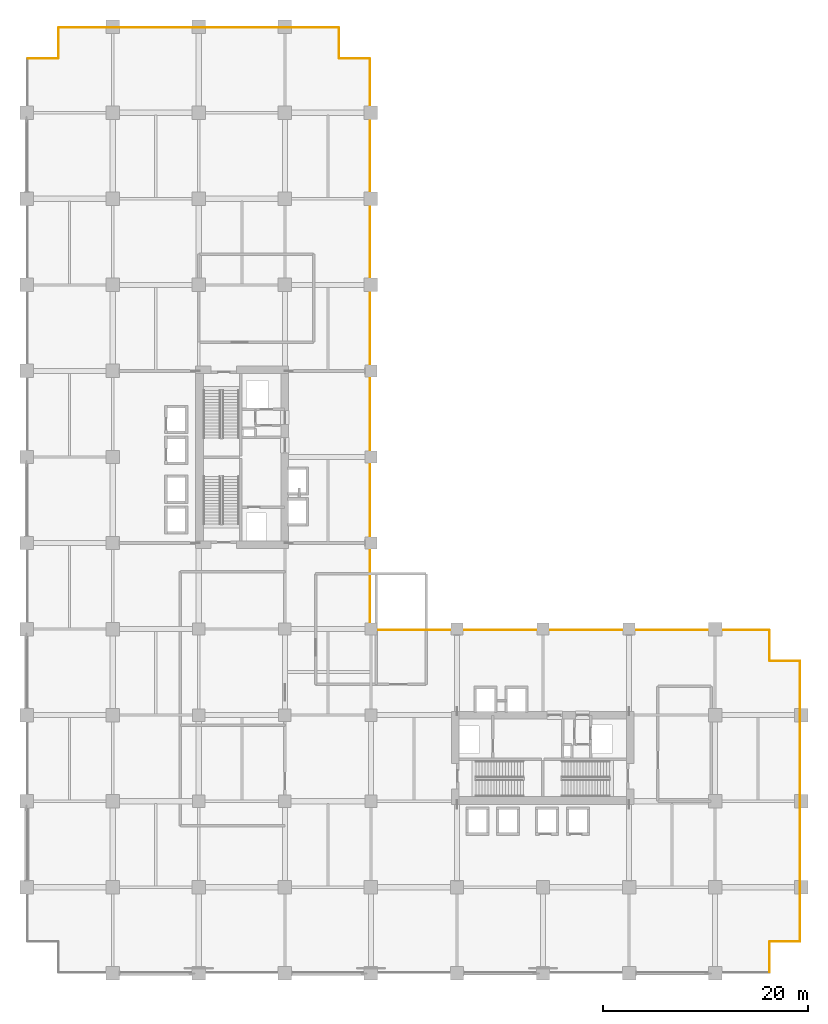
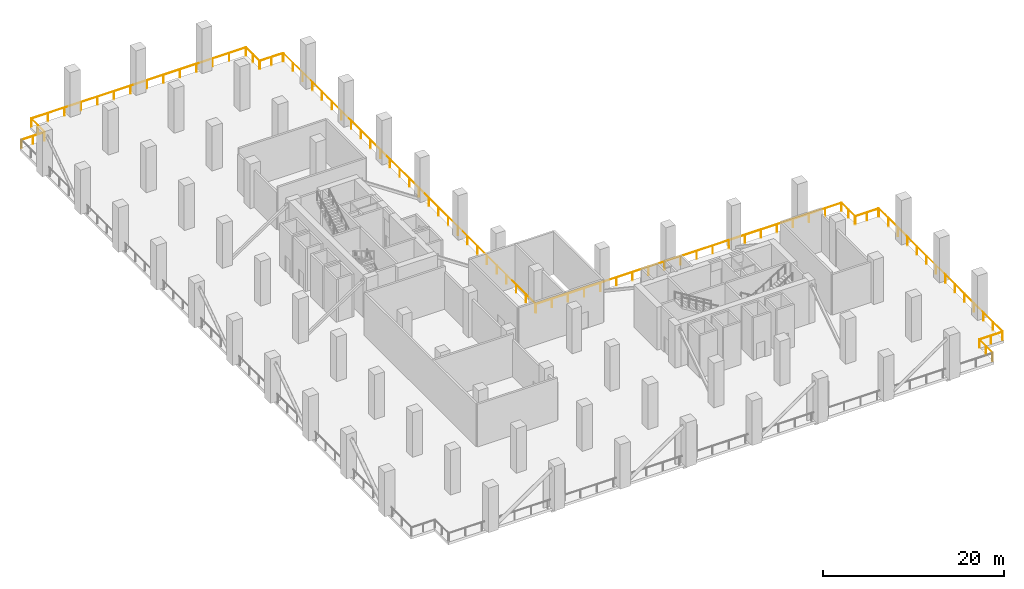
# One storey, part 19 of 19: 12 railings.
"""IFC4 building model written with IfcOpenShell, lengths in metres."""

from ifc_helpers import new_model, si_unit, direction, frame, origin, origin_2d, place, context, subcontext, project, spatial, circle, extrude, material, type_object, element, save


model = new_model("IFC4")

# Units and contexts
model_context = context("Model", 3, precision=1e-05, world=origin(), true_north=direction((0.0, 1.0)))
body_context = subcontext(model_context, "Body", "Model", "MODEL_VIEW")
ifc_project = project(units=[si_unit("LENGTHUNIT", "METRE"), si_unit("AREAUNIT", "SQUARE_METRE"), si_unit("VOLUMEUNIT", "CUBIC_METRE"), si_unit("PLANEANGLEUNIT", "RADIAN"), si_unit("MASSUNIT", "GRAM", prefix="KILO")], contexts=[model_context])

# Site, building, storey
site_placement = place(None, origin())
site = spatial("IfcSite", under=ifc_project, at=site_placement, CompositionType="ELEMENT")
building_placement = place(site_placement, origin())
building = spatial("IfcBuilding", under=site, at=building_placement, Name="Koriwani Terraces Tower", CompositionType="ELEMENT")
storey_placement = place(building_placement, frame((0.0, 0.0, 94.0)))
storey = spatial("IfcBuildingStorey", under=building, at=storey_placement, Name="L22", CompositionType="ELEMENT", Elevation=94.0)

# Railings
ifc_material = material(Name="Steel ASTM A572 Grade 50", Category="steel")
railing_type = type_object("IfcRailingType", Name="GUARD_BALUSTRADE_1150", PredefinedType="BALUSTRADE", material=ifc_material)
railing_1_placement = place(storey_placement, frame((0.135009765625, 89.300048828125, 0.0)))
element("IfcRailing", 1, at=railing_1_placement, inside=storey, type_object=railing_type, Name="L22 Open Wind Floor Perimeter Balustrade Segment 4", PredefinedType="BALUSTRADE", context=body_context, shape_type="SweptSolid", body=[
    extrude(circle(Radius=0.02490234375, at=origin_2d()), frame((0.0, 0.0, 1.125), z_axis=(1.0, 0.0, 0.0), x_axis=(0.0, 1.0, 0.0)), (0.0, 0.0, 1.0), 2.929931640625),
    extrude(circle(Radius=0.0224609375, at=origin_2d()), origin(), (0.0, 0.0, 1.0), 1.099853515625),
    extrude(circle(Radius=0.0224609375, at=origin_2d()), frame((1.46484375, 0.0, 0.0)), (0.0, 0.0, 1.0), 1.099853515625),
    extrude(circle(Radius=0.0224609375, at=origin_2d()), frame((2.929931640625, 0.0, 0.0)), (0.0, 0.0, 1.0), 1.099853515625),
])
railing_2_placement = place(storey_placement, frame((3.10009765625, 89.3349609375, 0.0)))
element("IfcRailing", 2, at=railing_2_placement, inside=storey, type_object=railing_type, Name="L22 Open Wind Floor Perimeter Balustrade Segment 5", PredefinedType="BALUSTRADE", context=body_context, shape_type="SweptSolid", body=[
    extrude(circle(Radius=0.02490234375, at=origin_2d()), frame((0.0, 0.0, 1.125), z_axis=(0.0, 1.0, 0.0), x_axis=(-1.0, 0.0, 0.0)), (0.0, 0.0, 1.0), 2.929931640625),
    extrude(circle(Radius=0.0224609375, at=origin_2d()), origin(), (0.0, 0.0, 1.0), 1.099853515625),
    extrude(circle(Radius=0.0224609375, at=origin_2d()), frame((0.0, 1.46484375, 0.0)), (0.0, 0.0, 1.0), 1.099853515625),
    extrude(circle(Radius=0.0224609375, at=origin_2d()), frame((0.0, 2.929931640625, 0.0)), (0.0, 0.0, 1.0), 1.099853515625),
])
railing_3_placement = place(storey_placement, frame((3.135009765625, 92.300048828125, 0.0)))
element("IfcRailing", 3, at=railing_3_placement, inside=storey, type_object=railing_type, Name="L22 Open Wind Floor Perimeter Balustrade Segment 6", PredefinedType="BALUSTRADE", context=body_context, shape_type="SweptSolid", body=[
    extrude(circle(Radius=0.02490234375, at=origin_2d()), frame((0.0, 0.0, 1.125), z_axis=(1.0, 0.0, 0.0), x_axis=(0.0, 1.0, 0.0)), (0.0, 0.0, 1.0), 27.330078125),
    extrude(circle(Radius=0.0224609375, at=origin_2d()), origin(), (0.0, 0.0, 1.0), 1.099853515625),
    extrude(circle(Radius=0.0224609375, at=origin_2d()), frame((2.102294921875, 0.0, 0.0)), (0.0, 0.0, 1.0), 1.099853515625),
    extrude(circle(Radius=0.0224609375, at=origin_2d()), frame((4.20458984375, 0.0, 0.0)), (0.0, 0.0, 1.0), 1.099853515625),
    extrude(circle(Radius=0.0224609375, at=origin_2d()), frame((6.306884765625, 0.0, 0.0)), (0.0, 0.0, 1.0), 1.099853515625),
    extrude(circle(Radius=0.0224609375, at=origin_2d()), frame((8.4091796875, 0.0, 0.0)), (0.0, 0.0, 1.0), 1.099853515625),
    extrude(circle(Radius=0.0224609375, at=origin_2d()), frame((10.511474609375, 0.0, 0.0)), (0.0, 0.0, 1.0), 1.099853515625),
    extrude(circle(Radius=0.0224609375, at=origin_2d()), frame((12.61376953125, 0.0, 0.0)), (0.0, 0.0, 1.0), 1.099853515625),
    extrude(circle(Radius=0.0224609375, at=origin_2d()), frame((14.71630859375, 0.0, 0.0)), (0.0, 0.0, 1.0), 1.099853515625),
    extrude(circle(Radius=0.0224609375, at=origin_2d()), frame((16.818603515625, 0.0, 0.0)), (0.0, 0.0, 1.0), 1.099853515625),
    extrude(circle(Radius=0.0224609375, at=origin_2d()), frame((18.9208984375, 0.0, 0.0)), (0.0, 0.0, 1.0), 1.099853515625),
    extrude(circle(Radius=0.0224609375, at=origin_2d()), frame((21.023193359375, 0.0, 0.0)), (0.0, 0.0, 1.0), 1.099853515625),
    extrude(circle(Radius=0.0224609375, at=origin_2d()), frame((23.12548828125, 0.0, 0.0)), (0.0, 0.0, 1.0), 1.099853515625),
    extrude(circle(Radius=0.0224609375, at=origin_2d()), frame((25.227783203125, 0.0, 0.0)), (0.0, 0.0, 1.0), 1.099853515625),
    extrude(circle(Radius=0.0224609375, at=origin_2d()), frame((27.330078125, 0.0, 0.0)), (0.0, 0.0, 1.0), 1.099853515625),
])
railing_4_placement = place(storey_placement, frame((30.5, 92.264892578125, 0.0)))
element("IfcRailing", 4, at=railing_4_placement, inside=storey, type_object=railing_type, Name="L22 Open Wind Floor Perimeter Balustrade Segment 7", PredefinedType="BALUSTRADE", context=body_context, shape_type="SweptSolid", body=[
    extrude(circle(Radius=0.02490234375, at=origin_2d()), frame((0.0, 0.0, 1.125), z_axis=(0.0, -1.0, 0.0), x_axis=(1.0, 0.0, 0.0)), (0.0, 0.0, 1.0), 2.929931640625),
    extrude(circle(Radius=0.0224609375, at=origin_2d()), origin(), (0.0, 0.0, 1.0), 1.099853515625),
    extrude(circle(Radius=0.0224609375, at=origin_2d()), frame((0.0, -1.46484375, 0.0)), (0.0, 0.0, 1.0), 1.099853515625),
    extrude(circle(Radius=0.0224609375, at=origin_2d()), frame((0.0, -2.929931640625, 0.0)), (0.0, 0.0, 1.0), 1.099853515625),
])
railing_5_placement = place(storey_placement, frame((30.534912109375, 89.300048828125, 0.0)))
element("IfcRailing", 5, at=railing_5_placement, inside=storey, type_object=railing_type, Name="L22 Open Wind Floor Perimeter Balustrade Segment 8", PredefinedType="BALUSTRADE", context=body_context, shape_type="SweptSolid", body=[
    extrude(circle(Radius=0.02490234375, at=origin_2d()), frame((0.0, 0.0, 1.125), z_axis=(1.0, 0.0, 0.0), x_axis=(0.0, 1.0, 0.0)), (0.0, 0.0, 1.0), 2.93017578125),
    extrude(circle(Radius=0.0224609375, at=origin_2d()), origin(), (0.0, 0.0, 1.0), 1.099853515625),
    extrude(circle(Radius=0.0224609375, at=origin_2d()), frame((1.465087890625, 0.0, 0.0)), (0.0, 0.0, 1.0), 1.099853515625),
    extrude(circle(Radius=0.0224609375, at=origin_2d()), frame((2.93017578125, 0.0, 0.0)), (0.0, 0.0, 1.0), 1.099853515625),
])
railing_6_placement = place(storey_placement, frame((33.5, 89.264892578125, 0.0)))
element("IfcRailing", 6, at=railing_6_placement, inside=storey, type_object=railing_type, Name="L22 Open Wind Floor Perimeter Balustrade Segment 9", PredefinedType="BALUSTRADE", context=body_context, shape_type="SweptSolid", body=[
    extrude(circle(Radius=0.02490234375, at=origin_2d()), frame((0.0, 0.0, 1.125), z_axis=(0.0, -1.0, 0.0), x_axis=(1.0, 0.0, 0.0)), (0.0, 0.0, 1.0), 55.72998046875),
    extrude(circle(Radius=0.0224609375, at=origin_2d()), origin(), (0.0, 0.0, 1.0), 1.099853515625),
    extrude(circle(Radius=0.0224609375, at=origin_2d()), frame((0.0, -2.1435546875, 0.0)), (0.0, 0.0, 1.0), 1.099853515625),
    extrude(circle(Radius=0.0224609375, at=origin_2d()), frame((0.0, -4.286865234375, 0.0)), (0.0, 0.0, 1.0), 1.099853515625),
    extrude(circle(Radius=0.0224609375, at=origin_2d()), frame((0.0, -6.430419921875, 0.0)), (0.0, 0.0, 1.0), 1.099853515625),
    extrude(circle(Radius=0.0224609375, at=origin_2d()), frame((0.0, -8.57373046875, 0.0)), (0.0, 0.0, 1.0), 1.099853515625),
    extrude(circle(Radius=0.0224609375, at=origin_2d()), frame((0.0, -10.71728515625, 0.0)), (0.0, 0.0, 1.0), 1.099853515625),
    extrude(circle(Radius=0.0224609375, at=origin_2d()), frame((0.0, -12.86083984375, 0.0)), (0.0, 0.0, 1.0), 1.099853515625),
    extrude(circle(Radius=0.0224609375, at=origin_2d()), frame((0.0, -15.004150390625, 0.0)), (0.0, 0.0, 1.0), 1.099853515625),
    extrude(circle(Radius=0.0224609375, at=origin_2d()), frame((0.0, -17.147705078125, 0.0)), (0.0, 0.0, 1.0), 1.099853515625),
    extrude(circle(Radius=0.0224609375, at=origin_2d()), frame((0.0, -19.291259765625, 0.0)), (0.0, 0.0, 1.0), 1.099853515625),
    extrude(circle(Radius=0.0224609375, at=origin_2d()), frame((0.0, -21.4345703125, 0.0)), (0.0, 0.0, 1.0), 1.099853515625),
    extrude(circle(Radius=0.0224609375, at=origin_2d()), frame((0.0, -23.578125, 0.0)), (0.0, 0.0, 1.0), 1.099853515625),
    extrude(circle(Radius=0.0224609375, at=origin_2d()), frame((0.0, -25.721435546875, 0.0)), (0.0, 0.0, 1.0), 1.099853515625),
    extrude(circle(Radius=0.0224609375, at=origin_2d()), frame((0.0, -27.864990234375, 0.0)), (0.0, 0.0, 1.0), 1.099853515625),
    extrude(circle(Radius=0.0224609375, at=origin_2d()), frame((0.0, -30.008544921875, 0.0)), (0.0, 0.0, 1.0), 1.099853515625),
    extrude(circle(Radius=0.0224609375, at=origin_2d()), frame((0.0, -32.15185546875, 0.0)), (0.0, 0.0, 1.0), 1.099853515625),
    extrude(circle(Radius=0.0224609375, at=origin_2d()), frame((0.0, -34.29541015625, 0.0)), (0.0, 0.0, 1.0), 1.099853515625),
    extrude(circle(Radius=0.0224609375, at=origin_2d()), frame((0.0, -36.438720703125, 0.0)), (0.0, 0.0, 1.0), 1.099853515625),
    extrude(circle(Radius=0.0224609375, at=origin_2d()), frame((0.0, -38.582275390625, 0.0)), (0.0, 0.0, 1.0), 1.099853515625),
    extrude(circle(Radius=0.0224609375, at=origin_2d()), frame((0.0, -40.725830078125, 0.0)), (0.0, 0.0, 1.0), 1.099853515625),
    extrude(circle(Radius=0.0224609375, at=origin_2d()), frame((0.0, -42.869140625, 0.0)), (0.0, 0.0, 1.0), 1.099853515625),
    extrude(circle(Radius=0.0224609375, at=origin_2d()), frame((0.0, -45.0126953125, 0.0)), (0.0, 0.0, 1.0), 1.099853515625),
    extrude(circle(Radius=0.0224609375, at=origin_2d()), frame((0.0, -47.15625, 0.0)), (0.0, 0.0, 1.0), 1.099853515625),
    extrude(circle(Radius=0.0224609375, at=origin_2d()), frame((0.0, -49.299560546875, 0.0)), (0.0, 0.0, 1.0), 1.099853515625),
    extrude(circle(Radius=0.0224609375, at=origin_2d()), frame((0.0, -51.443115234375, 0.0)), (0.0, 0.0, 1.0), 1.099853515625),
    extrude(circle(Radius=0.0224609375, at=origin_2d()), frame((0.0, -53.58642578125, 0.0)), (0.0, 0.0, 1.0), 1.099853515625),
    extrude(circle(Radius=0.0224609375, at=origin_2d()), frame((0.0, -55.72998046875, 0.0)), (0.0, 0.0, 1.0), 1.099853515625),
])
railing_7_placement = place(storey_placement, frame((33.534912109375, 33.5, 0.0)))
element("IfcRailing", 7, at=railing_7_placement, inside=storey, type_object=railing_type, Name="L22 Open Wind Floor Perimeter Balustrade Segment 10", PredefinedType="BALUSTRADE", context=body_context, shape_type="SweptSolid", body=[
    extrude(circle(Radius=0.02490234375, at=origin_2d()), frame((0.0, 0.0, 1.125), z_axis=(1.0, 0.0, 0.0), x_axis=(0.0, 1.0, 0.0)), (0.0, 0.0, 1.0), 38.93017578125),
    extrude(circle(Radius=0.0224609375, at=origin_2d()), origin(), (0.0, 0.0, 1.0), 1.099853515625),
    extrude(circle(Radius=0.0224609375, at=origin_2d()), frame((2.049072265625, 0.0, 0.0)), (0.0, 0.0, 1.0), 1.099853515625),
    extrude(circle(Radius=0.0224609375, at=origin_2d()), frame((4.097900390625, 0.0, 0.0)), (0.0, 0.0, 1.0), 1.099853515625),
    extrude(circle(Radius=0.0224609375, at=origin_2d()), frame((6.14697265625, 0.0, 0.0)), (0.0, 0.0, 1.0), 1.099853515625),
    extrude(circle(Radius=0.0224609375, at=origin_2d()), frame((8.19580078125, 0.0, 0.0)), (0.0, 0.0, 1.0), 1.099853515625),
    extrude(circle(Radius=0.0224609375, at=origin_2d()), frame((10.244873046875, 0.0, 0.0)), (0.0, 0.0, 1.0), 1.099853515625),
    extrude(circle(Radius=0.0224609375, at=origin_2d()), frame((12.293701171875, 0.0, 0.0)), (0.0, 0.0, 1.0), 1.099853515625),
    extrude(circle(Radius=0.0224609375, at=origin_2d()), frame((14.3427734375, 0.0, 0.0)), (0.0, 0.0, 1.0), 1.099853515625),
    extrude(circle(Radius=0.0224609375, at=origin_2d()), frame((16.3916015625, 0.0, 0.0)), (0.0, 0.0, 1.0), 1.099853515625),
    extrude(circle(Radius=0.0224609375, at=origin_2d()), frame((18.440673828125, 0.0, 0.0)), (0.0, 0.0, 1.0), 1.099853515625),
    extrude(circle(Radius=0.0224609375, at=origin_2d()), frame((20.489501953125, 0.0, 0.0)), (0.0, 0.0, 1.0), 1.099853515625),
    extrude(circle(Radius=0.0224609375, at=origin_2d()), frame((22.53857421875, 0.0, 0.0)), (0.0, 0.0, 1.0), 1.099853515625),
    extrude(circle(Radius=0.0224609375, at=origin_2d()), frame((24.58740234375, 0.0, 0.0)), (0.0, 0.0, 1.0), 1.099853515625),
    extrude(circle(Radius=0.0224609375, at=origin_2d()), frame((26.636474609375, 0.0, 0.0)), (0.0, 0.0, 1.0), 1.099853515625),
    extrude(circle(Radius=0.0224609375, at=origin_2d()), frame((28.685302734375, 0.0, 0.0)), (0.0, 0.0, 1.0), 1.099853515625),
    extrude(circle(Radius=0.0224609375, at=origin_2d()), frame((30.734375, 0.0, 0.0)), (0.0, 0.0, 1.0), 1.099853515625),
    extrude(circle(Radius=0.0224609375, at=origin_2d()), frame((32.783203125, 0.0, 0.0)), (0.0, 0.0, 1.0), 1.099853515625),
    extrude(circle(Radius=0.0224609375, at=origin_2d()), frame((34.832275390625, 0.0, 0.0)), (0.0, 0.0, 1.0), 1.099853515625),
    extrude(circle(Radius=0.0224609375, at=origin_2d()), frame((36.881103515625, 0.0, 0.0)), (0.0, 0.0, 1.0), 1.099853515625),
    extrude(circle(Radius=0.0224609375, at=origin_2d()), frame((38.93017578125, 0.0, 0.0)), (0.0, 0.0, 1.0), 1.099853515625),
])
railing_8_placement = place(storey_placement, frame((72.5, 33.465087890625, 0.0)))
element("IfcRailing", 8, at=railing_8_placement, inside=storey, type_object=railing_type, Name="L22 Open Wind Floor Perimeter Balustrade Segment 11", PredefinedType="BALUSTRADE", context=body_context, shape_type="SweptSolid", body=[
    extrude(circle(Radius=0.02490234375, at=origin_2d()), frame((0.0, 0.0, 1.125), z_axis=(0.0, -1.0, 0.0), x_axis=(1.0, 0.0, 0.0)), (0.0, 0.0, 1.0), 2.93017578125),
    extrude(circle(Radius=0.0224609375, at=origin_2d()), origin(), (0.0, 0.0, 1.0), 1.099853515625),
    extrude(circle(Radius=0.0224609375, at=origin_2d()), frame((0.0, -1.465087890625, 0.0)), (0.0, 0.0, 1.0), 1.099853515625),
    extrude(circle(Radius=0.0224609375, at=origin_2d()), frame((0.0, -2.93017578125, 0.0)), (0.0, 0.0, 1.0), 1.099853515625),
])
railing_9_placement = place(storey_placement, frame((72.534912109375, 30.5, 0.0)))
element("IfcRailing", 9, at=railing_9_placement, inside=storey, type_object=railing_type, Name="L22 Open Wind Floor Perimeter Balustrade Segment 12", PredefinedType="BALUSTRADE", context=body_context, shape_type="SweptSolid", body=[
    extrude(circle(Radius=0.02490234375, at=origin_2d()), frame((0.0, 0.0, 1.125), z_axis=(1.0, 0.0, 0.0), x_axis=(0.0, 1.0, 0.0)), (0.0, 0.0, 1.0), 2.93017578125),
    extrude(circle(Radius=0.0224609375, at=origin_2d()), origin(), (0.0, 0.0, 1.0), 1.099853515625),
    extrude(circle(Radius=0.0224609375, at=origin_2d()), frame((1.465087890625, 0.0, 0.0)), (0.0, 0.0, 1.0), 1.099853515625),
    extrude(circle(Radius=0.0224609375, at=origin_2d()), frame((2.93017578125, 0.0, 0.0)), (0.0, 0.0, 1.0), 1.099853515625),
])
railing_10_placement = place(storey_placement, frame((75.5, 30.465087890625, 0.0)))
element("IfcRailing", 10, at=railing_10_placement, inside=storey, type_object=railing_type, Name="L22 Open Wind Floor Perimeter Balustrade Segment 13", PredefinedType="BALUSTRADE", context=body_context, shape_type="SweptSolid", body=[
    extrude(circle(Radius=0.02490234375, at=origin_2d()), frame((0.0, 0.0, 1.125), z_axis=(0.0, -1.0, 0.0), x_axis=(1.0, 0.0, 0.0)), (0.0, 0.0, 1.0), 27.330078125),
    extrude(circle(Radius=0.0224609375, at=origin_2d()), origin(), (0.0, 0.0, 1.0), 1.099853515625),
    extrude(circle(Radius=0.0224609375, at=origin_2d()), frame((0.0, -2.102294921875, 0.0)), (0.0, 0.0, 1.0), 1.099853515625),
    extrude(circle(Radius=0.0224609375, at=origin_2d()), frame((0.0, -4.20458984375, 0.0)), (0.0, 0.0, 1.0), 1.099853515625),
    extrude(circle(Radius=0.0224609375, at=origin_2d()), frame((0.0, -6.306884765625, 0.0)), (0.0, 0.0, 1.0), 1.099853515625),
    extrude(circle(Radius=0.0224609375, at=origin_2d()), frame((0.0, -8.4091796875, 0.0)), (0.0, 0.0, 1.0), 1.099853515625),
    extrude(circle(Radius=0.0224609375, at=origin_2d()), frame((0.0, -10.511474609375, 0.0)), (0.0, 0.0, 1.0), 1.099853515625),
    extrude(circle(Radius=0.0224609375, at=origin_2d()), frame((0.0, -12.61376953125, 0.0)), (0.0, 0.0, 1.0), 1.099853515625),
    extrude(circle(Radius=0.0224609375, at=origin_2d()), frame((0.0, -14.71630859375, 0.0)), (0.0, 0.0, 1.0), 1.099853515625),
    extrude(circle(Radius=0.0224609375, at=origin_2d()), frame((0.0, -16.818603515625, 0.0)), (0.0, 0.0, 1.0), 1.099853515625),
    extrude(circle(Radius=0.0224609375, at=origin_2d()), frame((0.0, -18.9208984375, 0.0)), (0.0, 0.0, 1.0), 1.099853515625),
    extrude(circle(Radius=0.0224609375, at=origin_2d()), frame((0.0, -21.023193359375, 0.0)), (0.0, 0.0, 1.0), 1.099853515625),
    extrude(circle(Radius=0.0224609375, at=origin_2d()), frame((0.0, -23.12548828125, 0.0)), (0.0, 0.0, 1.0), 1.099853515625),
    extrude(circle(Radius=0.0224609375, at=origin_2d()), frame((0.0, -25.227783203125, 0.0)), (0.0, 0.0, 1.0), 1.099853515625),
    extrude(circle(Radius=0.0224609375, at=origin_2d()), frame((0.0, -27.330078125, 0.0)), (0.0, 0.0, 1.0), 1.099853515625),
])
railing_11_placement = place(storey_placement, frame((75.465087890625, 3.10009765625, 0.0)))
element("IfcRailing", 11, at=railing_11_placement, inside=storey, type_object=railing_type, Name="L22 Open Wind Floor Perimeter Balustrade Segment 14", PredefinedType="BALUSTRADE", context=body_context, shape_type="SweptSolid", body=[
    extrude(circle(Radius=0.02490234375, at=origin_2d()), frame((0.0, 0.0, 1.125), z_axis=(-1.0, 0.0, 0.0), x_axis=(0.0, -1.0, 0.0)), (0.0, 0.0, 1.0), 2.93017578125),
    extrude(circle(Radius=0.0224609375, at=origin_2d()), origin(), (0.0, 0.0, 1.0), 1.099853515625),
    extrude(circle(Radius=0.0224609375, at=origin_2d()), frame((-1.465087890625, 0.0, 0.0)), (0.0, 0.0, 1.0), 1.099853515625),
    extrude(circle(Radius=0.0224609375, at=origin_2d()), frame((-2.93017578125, 0.0, 0.0)), (0.0, 0.0, 1.0), 1.099853515625),
])
railing_12_placement = place(storey_placement, frame((72.5, 3.06494140625, 0.0)))
element("IfcRailing", 12, at=railing_12_placement, inside=storey, type_object=railing_type, Name="L22 Open Wind Floor Perimeter Balustrade Segment 15", PredefinedType="BALUSTRADE", context=body_context, shape_type="SweptSolid", body=[
    extrude(circle(Radius=0.02490234375, at=origin_2d()), frame((0.0, 0.0, 1.125), z_axis=(0.0, -1.0, 0.0), x_axis=(1.0, 0.0, 0.0)), (0.0, 0.0, 1.0), 2.929931640625),
    extrude(circle(Radius=0.0224609375, at=origin_2d()), origin(), (0.0, 0.0, 1.0), 1.099853515625),
    extrude(circle(Radius=0.0224609375, at=origin_2d()), frame((0.0, -1.46484375, 0.0)), (0.0, 0.0, 1.0), 1.099853515625),
    extrude(circle(Radius=0.0224609375, at=origin_2d()), frame((0.0, -2.929931640625, 0.0)), (0.0, 0.0, 1.0), 1.099853515625),
])

save(model, "model.ifc")
